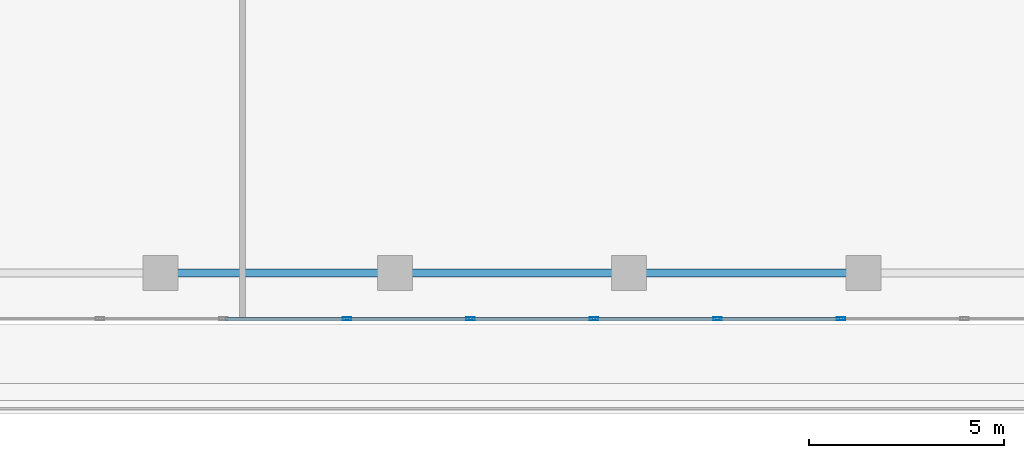
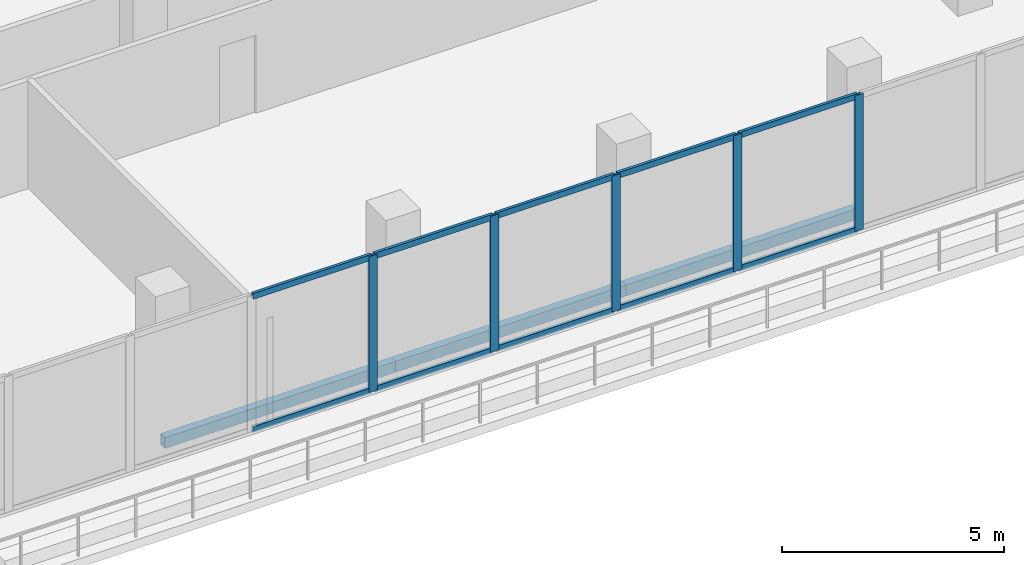
# One storey, part 7 of 30: 15 members, 3 beams, 1 element without a shape of its own.
"""IFC4 building model written with IfcOpenShell, lengths in metres."""

from ifc_helpers import new_model, si_unit, direction, frame, origin, origin_2d, place, context, subcontext, project, spatial, hollow_rectangle, extrude, material, layer, layer_set, material_profile, profile_set, type_object, element, aggregate, save


model = new_model("IFC4")

# Units and contexts
model_context = context("Model", 3, precision=1e-05, world=origin(), true_north=direction((0.0, 1.0)))
body_context = subcontext(model_context, "Body", "Model", "MODEL_VIEW")
ifc_project = project(units=[si_unit("LENGTHUNIT", "METRE"), si_unit("AREAUNIT", "SQUARE_METRE"), si_unit("VOLUMEUNIT", "CUBIC_METRE"), si_unit("PLANEANGLEUNIT", "RADIAN"), si_unit("MASSUNIT", "GRAM", prefix="KILO")], contexts=[model_context])

# Site, building, storey
site_placement = place(None, origin())
site = spatial("IfcSite", under=ifc_project, at=site_placement, CompositionType="ELEMENT")
building_placement = place(site_placement, origin())
building = spatial("IfcBuilding", under=site, at=building_placement, Name="Tanjung Sevakor Pilgrim Tower", CompositionType="ELEMENT")
storey_placement = place(building_placement, frame((0.0, 0.0, 128.0400390625)))
storey = spatial("IfcBuildingStorey", under=building, at=storey_placement, Name="L35", CompositionType="ELEMENT", Elevation=128.0400390625)

# Beams
ifc_material_1 = material(Name="Steel S355J2", Category="steel")
ifc_material_profile_1 = material_profile(ifc_material_1, hollow_rectangle(XDim=0.199951171875, YDim=0.300048828125, WallThickness=0.012451171875, at=origin_2d()))
ifc_profile_set_1 = profile_set([ifc_material_profile_1], Name="Steel S355J2")
beam_type = type_object("IfcBeamType", Name="BM-B-SP3-RHS_300x200x12.5", PredefinedType="SPANDREL", material=ifc_profile_set_1)
for number, where, z_axis, x_axis, name in (
    (1, (66.0, 13.199951171875, -0.429931640625), (1.0, 0.0, 0.0), (0.0, 1.0, 0.0), "L35 Spandrel MAIN S-11"),
    (2, (72.0, 13.199951171875, -0.429931640625), (1.0, 0.0, 0.0), (0.0, 1.0, 0.0), "L35 Spandrel MAIN S-13"),
    (3, (78.0, 13.199951171875, -0.429931640625), (1.0, 0.0, 0.0), (0.0, 1.0, 0.0), "L35 Spandrel MAIN S-15"),
):
    element("IfcBeam", number, at=place(storey_placement, frame(where, z_axis=z_axis, x_axis=x_axis)), inside=storey, type_object=beam_type, Name=name, PredefinedType="SPANDREL", context=body_context, shape_type="SweptSolid", body=[
        extrude(hollow_rectangle(XDim=0.199951171875, YDim=0.300048828125, WallThickness=0.012451171875, at=origin_2d()), origin(), (0.0, 0.0, 1.0), 6.0),
    ])

# Curtain wall, members
ifc_material_2 = material(Name="Aluminium 6063-T6 and Low-E Glass", Category="aluminium")
ifc_layer = layer(ifc_material_2, 0.199951171875)
ifc_layer_set = layer_set([ifc_layer], Name="CW-SYS-SKY")
curtain_wall_type = type_object("IfcCurtainWallType", Name="CW-SYS-SKY", PredefinedType="NOTDEFINED", material=ifc_layer_set)
curtain_wall_placement = place(storey_placement, origin())
curtain_wall = element("IfcCurtainWall", 4, at=curtain_wall_placement, inside=storey, type_object=curtain_wall_type, Name="L35 Curtain Wall CW-SKY-L35-S", PredefinedType="NOTDEFINED")
ifc_material_3 = material(Name="Aluminium 6063-T6", Category="aluminium")
ifc_material_profile_2 = material_profile(ifc_material_3, hollow_rectangle(XDim=0.074951171875, YDim=0.219970703125, WallThickness=0.0048828125, at=origin_2d()))
ifc_profile_set_2 = profile_set([ifc_material_profile_2], Name="Aluminium 6063-T6")
member_type_1 = type_object("IfcMemberType", Name="TYPE-CWM-2", PredefinedType="MULLION", material=ifc_profile_set_2)
member_1_placement = place(storey_placement, frame((70.774169921875, 12.02490234375, 0.0), z_axis=(0.0, 0.0, 1.0), x_axis=(0.0, 1.0, 0.0)))
member_1 = element("IfcMember", 5, at=member_1_placement, type_object=member_type_1, Name="CW-SKY mullion 5", PredefinedType="MULLION", context=body_context, shape_type="SweptSolid", body=[
    extrude(hollow_rectangle(XDim=0.074951171875, YDim=0.219970703125, WallThickness=0.0048828125, at=origin_2d()), origin(), (0.0, 0.0, 1.0), 3.739990234375),
])
member_2_placement = place(storey_placement, frame((73.9365234375, 12.02490234375, 0.0), z_axis=(0.0, 0.0, 1.0), x_axis=(0.0, 1.0, 0.0)))
member_2 = element("IfcMember", 6, at=member_2_placement, type_object=member_type_1, Name="CW-SKY mullion 6", PredefinedType="MULLION", context=body_context, shape_type="SweptSolid", body=[
    extrude(hollow_rectangle(XDim=0.074951171875, YDim=0.219970703125, WallThickness=0.0048828125, at=origin_2d()), origin(), (0.0, 0.0, 1.0), 3.739990234375),
])
member_3_placement = place(storey_placement, frame((77.098876953125, 12.02490234375, 0.0), z_axis=(0.0, 0.0, 1.0), x_axis=(0.0, 1.0, 0.0)))
member_3 = element("IfcMember", 7, at=member_3_placement, type_object=member_type_1, Name="CW-SKY mullion 7", PredefinedType="MULLION", context=body_context, shape_type="SweptSolid", body=[
    extrude(hollow_rectangle(XDim=0.074951171875, YDim=0.219970703125, WallThickness=0.0048828125, at=origin_2d()), origin(), (0.0, 0.0, 1.0), 3.739990234375),
])
member_4_placement = place(storey_placement, frame((80.26123046875, 12.02490234375, 0.0), z_axis=(0.0, 0.0, 1.0), x_axis=(0.0, 1.0, 0.0)))
member_4 = element("IfcMember", 8, at=member_4_placement, type_object=member_type_1, Name="CW-SKY mullion 8", PredefinedType="MULLION", context=body_context, shape_type="SweptSolid", body=[
    extrude(hollow_rectangle(XDim=0.074951171875, YDim=0.219970703125, WallThickness=0.0048828125, at=origin_2d()), origin(), (0.0, 0.0, 1.0), 3.739990234375),
])
member_5_placement = place(storey_placement, frame((83.423583984375, 12.02490234375, 0.0), z_axis=(0.0, 0.0, 1.0), x_axis=(0.0, 1.0, 0.0)))
member_5 = element("IfcMember", 9, at=member_5_placement, type_object=member_type_1, Name="CW-SKY mullion 9", PredefinedType="MULLION", context=body_context, shape_type="SweptSolid", body=[
    extrude(hollow_rectangle(XDim=0.074951171875, YDim=0.219970703125, WallThickness=0.0048828125, at=origin_2d()), origin(), (0.0, 0.0, 1.0), 3.739990234375),
])
ifc_material_4 = material(Name="Aluminium 6063-T6", Category="aluminium")
ifc_material_profile_3 = material_profile(ifc_material_4, hollow_rectangle(XDim=0.074951171875, YDim=0.159912109375, WallThickness=0.00439453125, at=origin_2d()))
ifc_profile_set_3 = profile_set([ifc_material_profile_3], Name="Aluminium 6063-T6")
member_type_2 = type_object("IfcMemberType", Name="TYPE-CWT-2", PredefinedType="USERDEFINED", material=ifc_profile_set_3)
member_6_placement = place(storey_placement, frame((67.6494140625, 12.02490234375, 0.037353515625), z_axis=(1.0, 0.0, 0.0), x_axis=(0.0, 1.0, 0.0)))
member_6 = element("IfcMember", 10, at=member_6_placement, type_object=member_type_2, Name="CW-SKY transom 4.1", ObjectType="TRANSOM", PredefinedType="USERDEFINED", context=body_context, shape_type="SweptSolid", body=[
    extrude(hollow_rectangle(XDim=0.074951171875, YDim=0.159912109375, WallThickness=0.00439453125, at=origin_2d()), origin(), (0.0, 0.0, 1.0), 3.08740234375),
])
member_7_placement = place(storey_placement, frame((67.6494140625, 12.02490234375, 3.702392578125), z_axis=(1.0, 0.0, 0.0), x_axis=(0.0, 1.0, 0.0)))
member_7 = element("IfcMember", 11, at=member_7_placement, type_object=member_type_2, Name="CW-SKY transom 4.2", ObjectType="TRANSOM", PredefinedType="USERDEFINED", context=body_context, shape_type="SweptSolid", body=[
    extrude(hollow_rectangle(XDim=0.074951171875, YDim=0.159912109375, WallThickness=0.00439453125, at=origin_2d()), origin(), (0.0, 0.0, 1.0), 3.08740234375),
])
member_8_placement = place(storey_placement, frame((70.811767578125, 12.02490234375, 0.037353515625), z_axis=(1.0, 0.0, 0.0), x_axis=(0.0, 1.0, 0.0)))
member_8 = element("IfcMember", 12, at=member_8_placement, type_object=member_type_2, Name="CW-SKY transom 5.1", ObjectType="TRANSOM", PredefinedType="USERDEFINED", context=body_context, shape_type="SweptSolid", body=[
    extrude(hollow_rectangle(XDim=0.074951171875, YDim=0.159912109375, WallThickness=0.00439453125, at=origin_2d()), origin(), (0.0, 0.0, 1.0), 3.08740234375),
])
member_9_placement = place(storey_placement, frame((70.811767578125, 12.02490234375, 3.702392578125), z_axis=(1.0, 0.0, 0.0), x_axis=(0.0, 1.0, 0.0)))
member_9 = element("IfcMember", 13, at=member_9_placement, type_object=member_type_2, Name="CW-SKY transom 5.2", ObjectType="TRANSOM", PredefinedType="USERDEFINED", context=body_context, shape_type="SweptSolid", body=[
    extrude(hollow_rectangle(XDim=0.074951171875, YDim=0.159912109375, WallThickness=0.00439453125, at=origin_2d()), origin(), (0.0, 0.0, 1.0), 3.08740234375),
])
member_10_placement = place(storey_placement, frame((73.97412109375, 12.02490234375, 0.037353515625), z_axis=(1.0, 0.0, 0.0), x_axis=(0.0, 1.0, 0.0)))
member_10 = element("IfcMember", 14, at=member_10_placement, type_object=member_type_2, Name="CW-SKY transom 6.1", ObjectType="TRANSOM", PredefinedType="USERDEFINED", context=body_context, shape_type="SweptSolid", body=[
    extrude(hollow_rectangle(XDim=0.074951171875, YDim=0.159912109375, WallThickness=0.00439453125, at=origin_2d()), origin(), (0.0, 0.0, 1.0), 3.08740234375),
])
member_11_placement = place(storey_placement, frame((73.97412109375, 12.02490234375, 3.702392578125), z_axis=(1.0, 0.0, 0.0), x_axis=(0.0, 1.0, 0.0)))
member_11 = element("IfcMember", 15, at=member_11_placement, type_object=member_type_2, Name="CW-SKY transom 6.2", ObjectType="TRANSOM", PredefinedType="USERDEFINED", context=body_context, shape_type="SweptSolid", body=[
    extrude(hollow_rectangle(XDim=0.074951171875, YDim=0.159912109375, WallThickness=0.00439453125, at=origin_2d()), origin(), (0.0, 0.0, 1.0), 3.08740234375),
])
member_12_placement = place(storey_placement, frame((77.136474609375, 12.02490234375, 0.037353515625), z_axis=(1.0, 0.0, 0.0), x_axis=(0.0, 1.0, 0.0)))
member_12 = element("IfcMember", 16, at=member_12_placement, type_object=member_type_2, Name="CW-SKY transom 7.1", ObjectType="TRANSOM", PredefinedType="USERDEFINED", context=body_context, shape_type="SweptSolid", body=[
    extrude(hollow_rectangle(XDim=0.074951171875, YDim=0.159912109375, WallThickness=0.00439453125, at=origin_2d()), origin(), (0.0, 0.0, 1.0), 3.087158203125),
])
member_13_placement = place(storey_placement, frame((77.136474609375, 12.02490234375, 3.702392578125), z_axis=(1.0, 0.0, 0.0), x_axis=(0.0, 1.0, 0.0)))
member_13 = element("IfcMember", 17, at=member_13_placement, type_object=member_type_2, Name="CW-SKY transom 7.2", ObjectType="TRANSOM", PredefinedType="USERDEFINED", context=body_context, shape_type="SweptSolid", body=[
    extrude(hollow_rectangle(XDim=0.074951171875, YDim=0.159912109375, WallThickness=0.00439453125, at=origin_2d()), origin(), (0.0, 0.0, 1.0), 3.087158203125),
])
member_14_placement = place(storey_placement, frame((80.298828125, 12.02490234375, 0.037353515625), z_axis=(1.0, 0.0, 0.0), x_axis=(0.0, 1.0, 0.0)))
member_14 = element("IfcMember", 18, at=member_14_placement, type_object=member_type_2, Name="CW-SKY transom 8.1", ObjectType="TRANSOM", PredefinedType="USERDEFINED", context=body_context, shape_type="SweptSolid", body=[
    extrude(hollow_rectangle(XDim=0.074951171875, YDim=0.159912109375, WallThickness=0.00439453125, at=origin_2d()), origin(), (0.0, 0.0, 1.0), 3.087158203125),
])
member_15_placement = place(storey_placement, frame((80.298828125, 12.02490234375, 3.702392578125), z_axis=(1.0, 0.0, 0.0), x_axis=(0.0, 1.0, 0.0)))
member_15 = element("IfcMember", 19, at=member_15_placement, type_object=member_type_2, Name="CW-SKY transom 8.2", ObjectType="TRANSOM", PredefinedType="USERDEFINED", context=body_context, shape_type="SweptSolid", body=[
    extrude(hollow_rectangle(XDim=0.074951171875, YDim=0.159912109375, WallThickness=0.00439453125, at=origin_2d()), origin(), (0.0, 0.0, 1.0), 3.087158203125),
])
aggregate(curtain_wall, [member_1, member_2, member_3, member_4, member_5, member_6, member_7, member_8, member_9, member_10, member_11, member_12, member_13, member_14, member_15])

save(model, "model.ifc")
